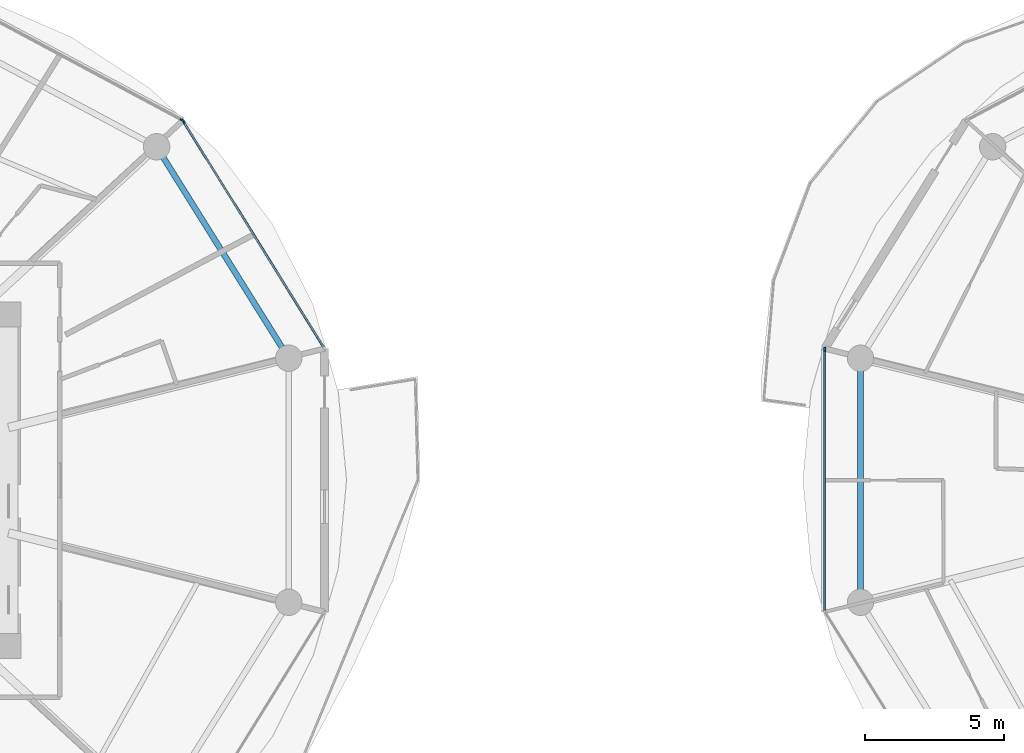
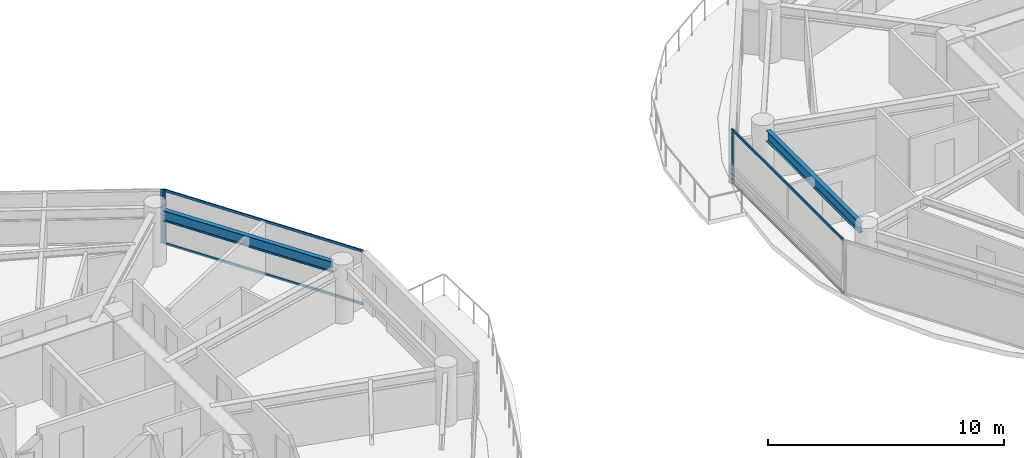
# One storey, part 7 of 27: 7 members, 2 beams, 3 elements without a shape of their own.
"""IFC4 building model written with IfcOpenShell, lengths in metres."""

from ifc_helpers import new_model, si_unit, direction, frame, origin, origin_2d, place, context, subcontext, project, spatial, rectangle, i_section, extrude, source, transform, mapped, material, layer, layer_set, material_profile, profile_set, type_object, type_shapes, element, aggregate, save


model = new_model("IFC4")

# Units and contexts
model_context = context("Model", 3, precision=1e-05, world=origin(), true_north=direction((0.0, 1.0)))
body_context = subcontext(model_context, "Body", "Model", "MODEL_VIEW")
ifc_project = project(units=[si_unit("LENGTHUNIT", "METRE"), si_unit("AREAUNIT", "SQUARE_METRE"), si_unit("VOLUMEUNIT", "CUBIC_METRE"), si_unit("PLANEANGLEUNIT", "RADIAN"), si_unit("MASSUNIT", "GRAM", prefix="KILO")], contexts=[model_context])

# Site, building, storey
site_placement = place(None, origin())
site = spatial("IfcSite", under=ifc_project, at=site_placement, CompositionType="ELEMENT")
building_placement = place(site_placement, origin())
building = spatial("IfcBuilding", under=site, at=building_placement, Name="Norrkilde Senior Care Towers", CompositionType="ELEMENT")
storey_placement = place(building_placement, frame((0.0, 0.0, 58.199951171875)))
storey = spatial("IfcBuildingStorey", under=building, at=storey_placement, Name="L17", CompositionType="ELEMENT", Elevation=58.199951171875)

# Beams
ifc_material_1 = material(Name="Steel S355", Category="steel")
ifc_material_profile_1 = material_profile(ifc_material_1, i_section(OverallWidth=0.2099609375, OverallDepth=0.550048828125, WebThickness=0.010986328125, FlangeThickness=0.01708984375, FilletRadius=0.02392578125, at=origin_2d()), Name="IPE 550")
ifc_profile_set_1 = profile_set([ifc_material_profile_1], Name="Steel S355")
beam_type = type_object("IfcBeamType", Name="Perimeter Ring Spandrel Z1 IPE550", PredefinedType="SPANDREL", material=ifc_profile_set_1)
shared_shape_1 = source(origin(), body_context, "Body", "SweptSolid", [
    extrude(i_section(OverallWidth=0.2099609375, OverallDepth=0.550048828125, WebThickness=0.010986328125, FlangeThickness=0.01708984375, FilletRadius=0.02392578125, at=origin_2d()), origin(), (0.0, 0.0, 1.0), 8.090576171875),
])
beam_1_placement = place(storey_placement, frame((-10.505859375, 4.755859375, 2.51513671875), z_axis=(-0.530004364821, 0.84799491347, 0.0), x_axis=(-0.84799491347, -0.530004364821, 0.0)))
element("IfcBeam", 1, at=beam_1_placement, inside=storey, type_object=beam_type, Name="L17 Drum W Perimeter Spandrel 01", PredefinedType="SPANDREL", context=body_context, shape_type="MappedRepresentation", body=[
    mapped(shared_shape_1, transform((0.0, 0.0, 0.0), x_axis=(1.0, 0.0, 0.0), y_axis=(0.0, 1.0, 0.0), z_axis=(0.0, 0.0, 1.0), scale=1.0)),
])
shared_shape_2 = source(origin(), body_context, "Body", "SweptSolid", [
    extrude(i_section(OverallWidth=0.2099609375, OverallDepth=0.550048828125, WebThickness=0.010986328125, FlangeThickness=0.01708984375, FilletRadius=0.02392578125, at=origin_2d()), origin(), (0.0, 0.0, 1.0), 7.90380859375),
])
type_shapes(beam_type, [shared_shape_1, shared_shape_2])
beam_2_placement = place(storey_placement, frame((10.275146484375, 3.951904296875, 2.51513671875), z_axis=(0.0, -1.0, 0.0), x_axis=(1.0, 0.0, 0.0)))
element("IfcBeam", 2, at=beam_2_placement, inside=storey, type_object=beam_type, Name="L17 Drum E Perimeter Spandrel 06", PredefinedType="SPANDREL", context=body_context, shape_type="MappedRepresentation", body=[
    mapped(shared_shape_2, transform((0.0, 0.0, 0.0), x_axis=(1.0, 0.0, 0.0), y_axis=(0.0, 1.0, 0.0), z_axis=(0.0, 0.0, 1.0), scale=1.0)),
])

# Curtain wall, member
ifc_material_2 = material(Name="Triple Low-E Insulated Glazing", Category="glass")
ifc_layer = layer(ifc_material_2, 0.199951171875)
ifc_layer_set = layer_set([ifc_layer], Name="Triple Low-E Insulated Glazing")
curtain_wall_type = type_object("IfcCurtainWallType", Name="CW2 Zone 1 Memory Care Curtain Wall", PredefinedType="NOTDEFINED", material=ifc_layer_set)
curtain_wall_1_placement = place(storey_placement, origin())
curtain_wall_1 = element("IfcCurtainWall", 3, at=curtain_wall_1_placement, inside=storey, type_object=curtain_wall_type, Name="L17 Drum W Curtain Wall 00", PredefinedType="NOTDEFINED")
ifc_material_3 = material(Name="Anodised Aluminium", Category="aluminium")
ifc_material_profile_2 = material_profile(ifc_material_3, rectangle(XDim=0.06494140625, YDim=0.159912109375, at=origin_2d()), Name="ALU MULL 65x160")
ifc_profile_set_2 = profile_set([ifc_material_profile_2], Name="Anodised Aluminium")
member_type_1 = type_object("IfcMemberType", Name="Curtain Wall Mullion Z1-Z2 65x160", PredefinedType="MULLION", material=ifc_profile_set_2)
shared_shape_3 = source(origin(), body_context, "Body", "SweptSolid", [
    extrude(rectangle(XDim=0.06494140625, YDim=0.159912109375, at=origin_2d()), origin(), (0.0, 0.0, 1.0), 2.7900390625),
])
type_shapes(member_type_1, [shared_shape_3])
member_1_placement = place(storey_placement, frame((-14.06689453125, 12.898193359375, 0.0), z_axis=(0.0, 0.0, 1.0), x_axis=(0.849305943117, 0.527900951871, 0.0)))
member_1 = element("IfcMember", 4, at=member_1_placement, type_object=member_type_1, Name="CW-2 mullion 1", PredefinedType="MULLION", context=body_context, shape_type="MappedRepresentation", body=[
    mapped(shared_shape_3, transform((0.0, 0.0, 0.0), x_axis=(1.0, 0.0, 0.0), y_axis=(0.0, 1.0, 0.0), z_axis=(0.0, 0.0, 1.0), scale=1.0)),
])

curtain_wall_2_placement = place(storey_placement, origin())
curtain_wall_2 = element("IfcCurtainWall", 5, at=curtain_wall_2_placement, inside=storey, type_object=curtain_wall_type, Name="L17 Drum W Curtain Wall 01", PredefinedType="NOTDEFINED")
member_2_placement = place(storey_placement, frame((-14.11279296875, 12.941162109375, 0.0), z_axis=(0.0, 0.0, 1.0), x_axis=(0.472607802456, 0.881272866403, 0.0)))
member_2 = element("IfcMember", 6, at=member_2_placement, type_object=member_type_1, Name="CW-2 mullion 2", PredefinedType="MULLION", context=body_context, shape_type="MappedRepresentation", body=[
    mapped(shared_shape_3, transform((0.0, 0.0, 0.0), x_axis=(1.0, 0.0, 0.0), y_axis=(0.0, 1.0, 0.0), z_axis=(0.0, 0.0, 1.0), scale=1.0)),
])
aggregate(curtain_wall_2, [member_2])

curtain_wall_3_placement = place(storey_placement, origin())
curtain_wall_3 = element("IfcCurtainWall", 7, at=curtain_wall_3_placement, inside=storey, type_object=curtain_wall_type, Name="L17 Drum E Curtain Wall 05", PredefinedType="NOTDEFINED")
member_3_placement = place(storey_placement, frame((8.990478515625, 4.69873046875, 0.0), z_axis=(0.0, 0.0, 1.0), x_axis=(-1.0, 0.0, 0.0)))
member_3 = element("IfcMember", 8, at=member_3_placement, type_object=member_type_1, Name="CW-2 mullion 2", PredefinedType="MULLION", context=body_context, shape_type="MappedRepresentation", body=[
    mapped(shared_shape_3, transform((0.0, 0.0, 0.0), x_axis=(1.0, 0.0, 0.0), y_axis=(0.0, 1.0, 0.0), z_axis=(0.0, 0.0, 1.0), scale=1.0)),
])

# Member
ifc_material_profile_3 = material_profile(ifc_material_3, rectangle(XDim=0.06005859375, YDim=0.1201171875, at=origin_2d()), Name="ALU TRAN 60x120")
ifc_profile_set_3 = profile_set([ifc_material_profile_3], Name="Anodised Aluminium")
member_type_2 = type_object("IfcMemberType", Name="Curtain Wall Transom Typical 60x120", PredefinedType="USERDEFINED", material=ifc_profile_set_3)
shared_shape_4 = source(origin(), body_context, "Body", "SweptSolid", [
    extrude(rectangle(XDim=0.06005859375, YDim=0.1201171875, at=origin_2d()), origin(), (0.0, 0.0, 1.0), 9.5185546875),
])
member_4_placement = place(storey_placement, frame((-14.0498046875, 12.87060546875, 0.030029296875), z_axis=(0.527901620669, -0.849305527413, 0.0), x_axis=(0.849305527413, 0.527901620669, 0.0)))
member_4 = element("IfcMember", 9, at=member_4_placement, type_object=member_type_2, Name="CW-2 transom 1.1", ObjectType="TRANSOM", PredefinedType="USERDEFINED", context=body_context, shape_type="MappedRepresentation", body=[
    mapped(shared_shape_4, transform((0.0, 0.0, 0.0), x_axis=(1.0, 0.0, 0.0), y_axis=(0.0, 1.0, 0.0), z_axis=(0.0, 0.0, 1.0), scale=1.0)),
])

member_5_placement = place(storey_placement, frame((-14.0498046875, 12.87060546875, 2.760009765625), z_axis=(0.527901620669, -0.849305527413, 0.0), x_axis=(0.849305527413, 0.527901620669, 0.0)))
member_5 = element("IfcMember", 10, at=member_5_placement, type_object=member_type_2, Name="CW-2 transom 1.2", ObjectType="TRANSOM", PredefinedType="USERDEFINED", context=body_context, shape_type="MappedRepresentation", body=[
    mapped(shared_shape_4, transform((0.0, 0.0, 0.0), x_axis=(1.0, 0.0, 0.0), y_axis=(0.0, 1.0, 0.0), z_axis=(0.0, 0.0, 1.0), scale=1.0)),
])

aggregate(curtain_wall_1, [member_1, member_4, member_5])

shared_shape_5 = source(origin(), body_context, "Body", "SweptSolid", [
    extrude(rectangle(XDim=0.06005859375, YDim=0.1201171875, at=origin_2d()), origin(), (0.0, 0.0, 1.0), 9.33251953125),
])
type_shapes(member_type_2, [shared_shape_4, shared_shape_5])
member_6_placement = place(storey_placement, frame((8.990478515625, -4.666259765625, 0.030029296875), z_axis=(0.0, 1.0, 0.0), x_axis=(-1.0, 0.0, 0.0)))
member_6 = element("IfcMember", 11, at=member_6_placement, type_object=member_type_2, Name="CW-2 transom 1.1", ObjectType="TRANSOM", PredefinedType="USERDEFINED", context=body_context, shape_type="MappedRepresentation", body=[
    mapped(shared_shape_5, transform((0.0, 0.0, 0.0), x_axis=(1.0, 0.0, 0.0), y_axis=(0.0, 1.0, 0.0), z_axis=(0.0, 0.0, 1.0), scale=1.0)),
])

member_7_placement = place(storey_placement, frame((8.990478515625, -4.666259765625, 2.760009765625), z_axis=(0.0, 1.0, 0.0), x_axis=(-1.0, 0.0, 0.0)))
member_7 = element("IfcMember", 12, at=member_7_placement, type_object=member_type_2, Name="CW-2 transom 1.2", ObjectType="TRANSOM", PredefinedType="USERDEFINED", context=body_context, shape_type="MappedRepresentation", body=[
    mapped(shared_shape_5, transform((0.0, 0.0, 0.0), x_axis=(1.0, 0.0, 0.0), y_axis=(0.0, 1.0, 0.0), z_axis=(0.0, 0.0, 1.0), scale=1.0)),
])

aggregate(curtain_wall_3, [member_3, member_6, member_7])

save(model, "model.ifc")
